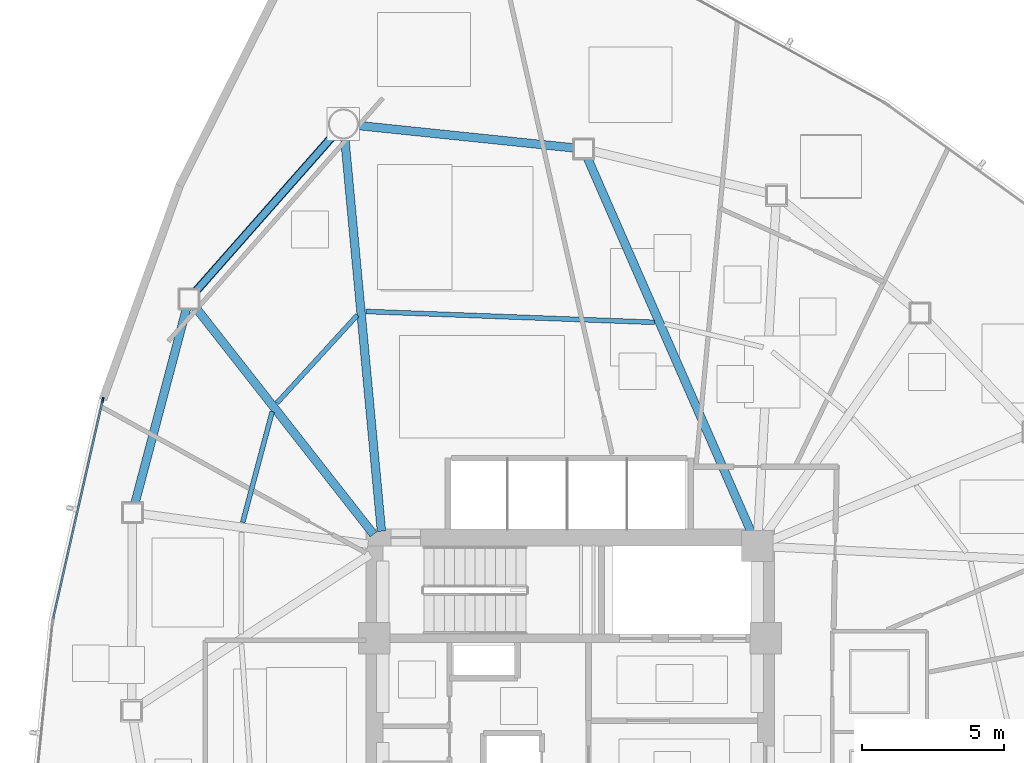
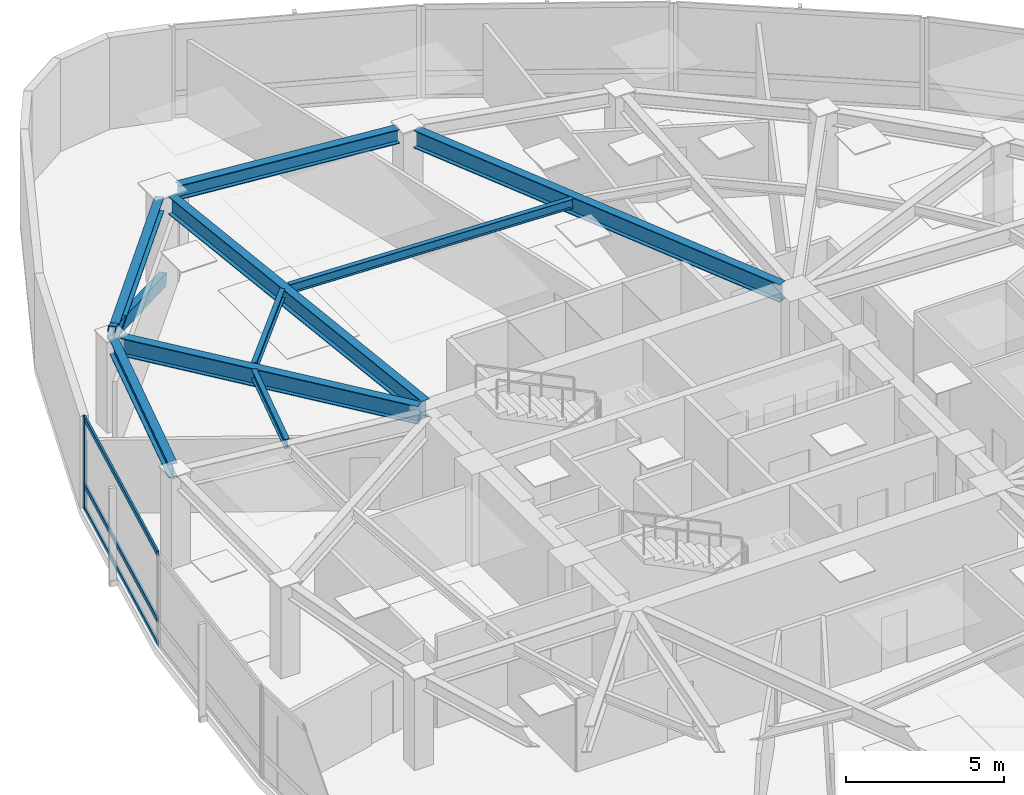
# One storey, part 7 of 17: 9 beams, 5 members, 1 element without a shape of its own.
"""IFC4 building model written with IfcOpenShell, lengths in metres."""

from ifc_helpers import new_model, si_unit, direction, frame, origin, origin_2d, place, context, subcontext, project, spatial, hollow_rectangle, i_section, extrude, source, transform, mapped, material, layer, layer_set, material_profile, profile_set, type_object, type_shapes, element, aggregate, save


model = new_model("IFC4")

# Units and contexts
model_context = context("Model", 3, precision=1e-05, world=origin(), true_north=direction((0.0, 1.0)))
body_context = subcontext(model_context, "Body", "Model", "MODEL_VIEW")
ifc_project = project(units=[si_unit("LENGTHUNIT", "METRE"), si_unit("AREAUNIT", "SQUARE_METRE"), si_unit("VOLUMEUNIT", "CUBIC_METRE"), si_unit("PLANEANGLEUNIT", "RADIAN"), si_unit("MASSUNIT", "GRAM", prefix="KILO")], contexts=[model_context])

# Site, building, storey
site_placement = place(None, origin())
site = spatial("IfcSite", under=ifc_project, at=site_placement, CompositionType="ELEMENT")
building_placement = place(site_placement, origin())
building = spatial("IfcBuilding", under=site, at=building_placement, Name="Tavelor Broadcast Tower", CompositionType="ELEMENT")
storey_placement = place(building_placement, frame((0.0, 0.0, 119.449951171875)))
storey = spatial("IfcBuildingStorey", under=building, at=storey_placement, Name="L27", CompositionType="ELEMENT", Elevation=119.449951171875)

# Beams
ifc_material_1 = material(Name="Steel S355", Category="steel")
ifc_material_profile_1 = material_profile(ifc_material_1, i_section(OverallWidth=0.169921875, OverallDepth=0.360107421875, WebThickness=0.008056640625, FlangeThickness=0.0126953125, at=origin_2d()), Name="IPE 360")
ifc_profile_set_1 = profile_set([ifc_material_profile_1], Name="Steel S355")
beam_type_1 = type_object("IfcBeamType", Name="Composite Floor Joist T3 IPE 360", PredefinedType="JOIST", material=ifc_profile_set_1)
beam_1_placement = place(storey_placement, frame((42.505126953125, 59.344970703125, 3.3701171875), z_axis=(-0.675177020038, -0.737655740581, 0.0), x_axis=(0.737655740581, -0.675177020038, 0.0)))
element("IfcBeam", 1, at=beam_1_placement, inside=storey, type_object=beam_type_1, Name="L27 Secondary Composite Floor Joist 01", PredefinedType="JOIST", context=body_context, shape_type="SweptSolid", body=[
    extrude(i_section(OverallWidth=0.169921875, OverallDepth=0.360107421875, WebThickness=0.008056640625, FlangeThickness=0.0126953125, at=origin_2d()), origin(), (0.0, 0.0, 1.0), 4.20068359375),
])
beam_2_placement = place(storey_placement, frame((39.5, 55.937744140625, 3.3701171875), z_axis=(-0.257647578953, -0.966238958571, 0.0), x_axis=(0.966238958571, -0.257647578953, 0.0)))
element("IfcBeam", 2, at=beam_2_placement, inside=storey, type_object=beam_type_1, Name="L27 Secondary Composite Floor Joist 02", PredefinedType="JOIST", context=body_context, shape_type="SweptSolid", body=[
    extrude(i_section(OverallWidth=0.169921875, OverallDepth=0.360107421875, WebThickness=0.008056640625, FlangeThickness=0.0126953125, at=origin_2d()), origin(), (0.0, 0.0, 1.0), 4.032958984375),
])
beam_3_placement = place(storey_placement, frame((52.969970703125, 59.08837890625, 3.3701171875), z_axis=(-0.999289376722, 0.037692725691, 0.0), x_axis=(-0.037692725691, -0.999289376722, 0.0)))
element("IfcBeam", 3, at=beam_3_placement, inside=storey, type_object=beam_type_1, Name="L27 Secondary Composite Floor Joist 18", PredefinedType="JOIST", context=body_context, shape_type="SweptSolid", body=[
    extrude(i_section(OverallWidth=0.169921875, OverallDepth=0.360107421875, WebThickness=0.008056640625, FlangeThickness=0.0126953125, at=origin_2d()), origin(), (0.0, 0.0, 1.0), 10.169189453125),
])
ifc_material_profile_2 = material_profile(ifc_material_1, i_section(OverallWidth=0.300048828125, OverallDepth=0.550048828125, WebThickness=0.014892578125, FlangeThickness=0.029052734375, at=origin_2d()), Name="HEB 550")
ifc_profile_set_2 = profile_set([ifc_material_profile_2], Name="Steel S355")
beam_type_2 = type_object("IfcBeamType", Name="Perimeter Spandrel Beam T3 HEB 550", PredefinedType="SPANDREL", material=ifc_profile_set_2)
beam_4_placement = place(storey_placement, frame((41.67236328125, 65.69580078125, 3.275146484375), z_axis=(-0.661628202511, -0.749832062292, 0.0), x_axis=(0.749832062292, -0.661628202511, 0.0)))
element("IfcBeam", 4, at=beam_4_placement, inside=storey, type_object=beam_type_2, Name="L27 Framed-Tube Ring Spandrel 01", PredefinedType="SPANDREL", context=body_context, shape_type="SweptSolid", body=[
    extrude(i_section(OverallWidth=0.300048828125, OverallDepth=0.550048828125, WebThickness=0.014892578125, FlangeThickness=0.029052734375, at=origin_2d()), origin(), (0.0, 0.0, 1.0), 7.379150390625),
])
beam_5_placement = place(storey_placement, frame((36.481689453125, 59.5859375, 3.275146484375), z_axis=(-0.255779440044, -0.966735164381, 0.0), x_axis=(0.966735164381, -0.255779440044, 0.0)))
element("IfcBeam", 5, at=beam_5_placement, inside=storey, type_object=beam_type_2, Name="L27 Framed-Tube Ring Spandrel 02", PredefinedType="SPANDREL", context=body_context, shape_type="SweptSolid", body=[
    extrude(i_section(OverallWidth=0.300048828125, OverallDepth=0.550048828125, WebThickness=0.014892578125, FlangeThickness=0.029052734375, at=origin_2d()), origin(), (0.0, 0.0, 1.0), 7.11865234375),
])
beam_6_placement = place(storey_placement, frame((50.13818359375, 65.23681640625, 3.275146484375), z_axis=(-0.994661371522, 0.103192809834, 0.0), x_axis=(-0.103192809834, -0.994661371522, 0.0)))
element("IfcBeam", 6, at=beam_6_placement, inside=storey, type_object=beam_type_2, Name="L27 Framed-Tube Ring Spandrel 18", PredefinedType="SPANDREL", context=body_context, shape_type="SweptSolid", body=[
    extrude(i_section(OverallWidth=0.300048828125, OverallDepth=0.550048828125, WebThickness=0.014892578125, FlangeThickness=0.029052734375, at=origin_2d()), origin(), (0.0, 0.0, 1.0), 7.658203125),
])

# Member
ifc_material_profile_3 = material_profile(ifc_material_1, hollow_rectangle(XDim=0.25, YDim=0.449951171875, WallThickness=0.02001953125, at=origin_2d()), Name="RHS 450x250x20")
ifc_profile_set_3 = profile_set([ifc_material_profile_3], Name="Steel S355")
member_type_1 = type_object("IfcMemberType", Name="Perimeter Tube Brace T3 RHS 450x250x20", PredefinedType="BRACE", material=ifc_profile_set_3)
member_1_placement = place(storey_placement, frame((42.01123046875, 66.080078125, 0.0), z_axis=(-0.607484590691, -0.688484352459, 0.396171387776), x_axis=(0.74983872131, -0.661620655681, 0.0)))
element("IfcMember", 7, at=member_1_placement, inside=storey, type_object=member_type_1, Name="L27 Corner Tube Diagonal Brace 1", PredefinedType="BRACE", context=body_context, shape_type="SweptSolid", body=[
    extrude(hollow_rectangle(XDim=0.25, YDim=0.449951171875, WallThickness=0.02001953125, at=origin_2d()), origin(), (0.0, 0.0, 1.0), 8.9609375),
])

# Beams
ifc_material_profile_4 = material_profile(ifc_material_1, i_section(OverallWidth=0.300048828125, OverallDepth=0.68994140625, WebThickness=0.014404296875, FlangeThickness=0.027099609375, at=origin_2d()), Name="HEA 700")
ifc_profile_set_4 = profile_set([ifc_material_profile_4], Name="Steel S355")
beam_type_3 = type_object("IfcBeamType", Name="Radial Floor Girder T3 HEA 700", PredefinedType="BEAM", material=ifc_profile_set_4)
beam_7_placement = place(storey_placement, frame((43.350830078125, 51.7255859375, 3.205078125), z_axis=(-0.092918079293, 0.995673757081, 0.0), x_axis=(-0.995673757081, -0.092918079293, 0.0)))
element("IfcBeam", 8, at=beam_7_placement, inside=storey, type_object=beam_type_3, Name="L27 Radial Primary Floor Girder 01", PredefinedType="BEAM", context=body_context, shape_type="SweptSolid", body=[
    extrude(i_section(OverallWidth=0.300048828125, OverallDepth=0.68994140625, WebThickness=0.014404296875, FlangeThickness=0.027099609375, at=origin_2d()), origin(), (0.0, 0.0, 1.0), 13.904541015625),
])
beam_8_placement = place(storey_placement, frame((43.07421875, 51.615478515625, 3.205078125), z_axis=(-0.617166360417, 0.786832690964, 0.0), x_axis=(-0.786832690964, -0.617166360417, 0.0)))
element("IfcBeam", 9, at=beam_8_placement, inside=storey, type_object=beam_type_3, Name="L27 Radial Primary Floor Girder 02", PredefinedType="BEAM", context=body_context, shape_type="SweptSolid", body=[
    extrude(i_section(OverallWidth=0.300048828125, OverallDepth=0.68994140625, WebThickness=0.014404296875, FlangeThickness=0.027099609375, at=origin_2d()), origin(), (0.0, 0.0, 1.0), 10.20654296875),
])
beam_9_placement = place(storey_placement, frame((56.38818359375, 51.68359375, 3.205078125), z_axis=(-0.400896102053, 0.916123526255, 0.0), x_axis=(-0.916123526255, -0.400896102053, 0.0)))
element("IfcBeam", 10, at=beam_9_placement, inside=storey, type_object=beam_type_3, Name="L27 Radial Primary Floor Girder 18", PredefinedType="BEAM", context=body_context, shape_type="SweptSolid", body=[
    extrude(i_section(OverallWidth=0.300048828125, OverallDepth=0.68994140625, WebThickness=0.014404296875, FlangeThickness=0.027099609375, at=origin_2d()), origin(), (0.0, 0.0, 1.0), 14.420166015625),
])

# Curtain wall, members
ifc_material_2 = material(Name="Architectural Anodized Aluminium", Category="aluminium")
ifc_layer = layer(ifc_material_2, 0.18994140625)
ifc_layer_set = layer_set([ifc_layer], Name="Architectural Anodized Aluminium")
curtain_wall_type = type_object("IfcCurtainWallType", Name="Tower Mid-Zone Acoustic Curtain Wall CW03", PredefinedType="NOTDEFINED", material=ifc_layer_set)
curtain_wall_placement = place(storey_placement, origin())
curtain_wall = element("IfcCurtainWall", 11, at=curtain_wall_placement, inside=storey, type_object=curtain_wall_type, Name="L27 Curtain Wall CW03 Run 265", PredefinedType="NOTDEFINED")
ifc_material_profile_5 = material_profile(ifc_material_2, hollow_rectangle(XDim=0.068115234375, YDim=0.18994140625, WallThickness=0.02197265625, at=origin_2d()), Name="RHS 68x190x22")
ifc_profile_set_5 = profile_set([ifc_material_profile_5], Name="Architectural Anodized Aluminium")
member_type_2 = type_object("IfcMemberType", Name="CW03 Extruded Aluminium Transom 68x190", PredefinedType="USERDEFINED", material=ifc_profile_set_5)
shared_shape_1 = source(origin(), body_context, "Body", "SweptSolid", [
    extrude(hollow_rectangle(XDim=0.068115234375, YDim=0.18994140625, WallThickness=0.02197265625, at=origin_2d()), origin(), (0.0, 0.0, 1.0), 7.85302734375),
])
type_shapes(member_type_2, [shared_shape_1])
member_2_placement = place(storey_placement, frame((33.520263671875, 56.315185546875, 0.033935546875), z_axis=(-0.221131967444, -0.975243894097, 0.0), x_axis=(0.975243894097, -0.221131967444, 0.0)))
member_2 = element("IfcMember", 12, at=member_2_placement, type_object=member_type_2, Name="CW03 transom 1.1", ObjectType="TRANSOM", PredefinedType="USERDEFINED", context=body_context, shape_type="MappedRepresentation", body=[
    mapped(shared_shape_1, transform((0.0, 0.0, 0.0), scale=1.0)),
])
member_3_placement = place(storey_placement, frame((33.520263671875, 56.315185546875, 0.949951171875), z_axis=(-0.221131967444, -0.975243894097, 0.0), x_axis=(0.975243894097, -0.221131967444, 0.0)))
member_3 = element("IfcMember", 13, at=member_3_placement, type_object=member_type_2, Name="CW03 transom 1.2", ObjectType="TRANSOM", PredefinedType="USERDEFINED", context=body_context, shape_type="MappedRepresentation", body=[
    mapped(shared_shape_1, transform((0.0, 0.0, 0.0), scale=1.0)),
])
member_4_placement = place(storey_placement, frame((33.520263671875, 56.315185546875, 3.51611328125), z_axis=(-0.221131967444, -0.975243894097, 0.0), x_axis=(0.975243894097, -0.221131967444, 0.0)))
member_4 = element("IfcMember", 14, at=member_4_placement, type_object=member_type_2, Name="CW03 transom 1.3", ObjectType="TRANSOM", PredefinedType="USERDEFINED", context=body_context, shape_type="MappedRepresentation", body=[
    mapped(shared_shape_1, transform((0.0, 0.0, 0.0), scale=1.0)),
])
ifc_material_profile_6 = material_profile(ifc_material_2, hollow_rectangle(XDim=0.068115234375, YDim=0.18994140625, WallThickness=0.02197265625, at=origin_2d()), Name="RHS 68x190x22")
ifc_profile_set_6 = profile_set([ifc_material_profile_6], Name="Architectural Anodized Aluminium")
member_type_3 = type_object("IfcMemberType", Name="CW03 Extruded Aluminium Mullion 68x190", PredefinedType="MULLION", material=ifc_profile_set_6)
shared_shape_2 = source(origin(), body_context, "Body", "SweptSolid", [
    extrude(hollow_rectangle(XDim=0.068115234375, YDim=0.18994140625, WallThickness=0.02197265625, at=origin_2d()), origin(), (0.0, 0.0, 1.0), 3.550048828125),
])
type_shapes(member_type_3, [shared_shape_2])
member_5_placement = place(storey_placement, frame((33.52783203125, 56.34814453125, 0.0), z_axis=(0.0, 0.0, 1.0), x_axis=(0.975241679601, -0.221141733668, 0.0)))
member_5 = element("IfcMember", 15, at=member_5_placement, type_object=member_type_3, Name="CW03 mullion 1", PredefinedType="MULLION", context=body_context, shape_type="MappedRepresentation", body=[
    mapped(shared_shape_2, transform((0.0, 0.0, 0.0), scale=1.0)),
])
aggregate(curtain_wall, [member_5, member_2, member_3, member_4])

save(model, "model.ifc")
